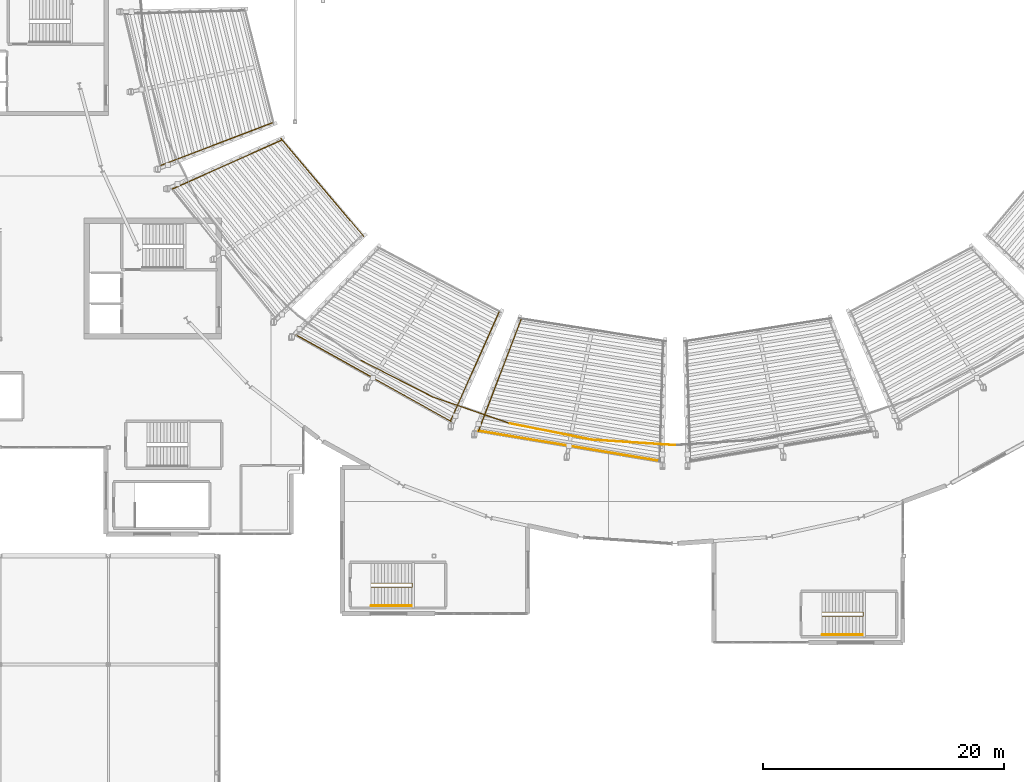
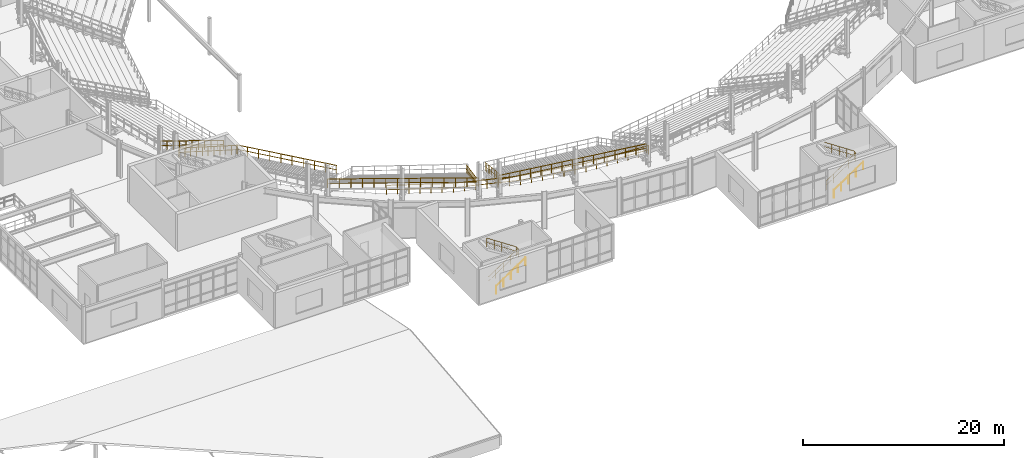
# One storey, part 72 of 81: 15 railings.
"""IFC4 building model written with IfcOpenShell, lengths in metres."""

from ifc_helpers import new_model, si_unit, direction, frame, origin, origin_2d, place, context, subcontext, project, spatial, circle, extrude, material, type_object, element, save


model = new_model("IFC4")

# Units and contexts
model_context = context("Model", 3, precision=1e-05, world=origin(), true_north=direction((0.0, 1.0)))
body_context = subcontext(model_context, "Body", "Model", "MODEL_VIEW")
ifc_project = project(units=[si_unit("LENGTHUNIT", "METRE"), si_unit("AREAUNIT", "SQUARE_METRE"), si_unit("VOLUMEUNIT", "CUBIC_METRE"), si_unit("PLANEANGLEUNIT", "RADIAN"), si_unit("MASSUNIT", "GRAM", prefix="KILO")], contexts=[model_context])

# Site, building, storey
site_placement = place(None, origin())
site = spatial("IfcSite", under=ifc_project, at=site_placement, CompositionType="ELEMENT")
building_placement = place(site_placement, origin())
building = spatial("IfcBuilding", under=site, at=building_placement, Name="Glasvene Arena", CompositionType="ELEMENT")
storey_placement = place(building_placement, frame((0.0, 0.0, 15.0)))
storey = spatial("IfcBuildingStorey", under=building, at=storey_placement, Name="L03", CompositionType="ELEMENT", Elevation=15.0)

# Railings
ifc_material = material(Name="Brushed stainless steel", Category="steel")
railing_type_1 = type_object("IfcRailingType", Name="RL-GUARD-1100", PredefinedType="GUARDRAIL", material=ifc_material)
railing_1_placement = place(storey_placement, frame((66.800048828125, 24.409912109375, 0.0)))
element("IfcRailing", 1, at=railing_1_placement, inside=storey, type_object=railing_type_1, Name="Stair inner well continuous guardrail ST-08-L03", PredefinedType="GUARDRAIL", context=body_context, shape_type="SweptSolid", body=[
    extrude(circle(Radius=0.02392578125, at=origin_2d()), frame((0.0, 0.0, 1.076171875), z_axis=(0.833924910587, 0.0, 0.551877924456), x_axis=(0.0, 1.0, 0.0)), (0.0, 0.0, 1.0), 4.076904296875),
    extrude(circle(Radius=0.01611328125, at=origin_2d()), frame((0.0, 0.0, 0.550048828125), z_axis=(0.833924910587, 0.0, 0.551877924456), x_axis=(0.0, 1.0, 0.0)), (0.0, 0.0, 1.0), 4.076904296875),
    extrude(circle(Radius=0.02392578125, at=origin_2d()), frame((3.39990234375, 0.0, 3.326171875), z_axis=(0.0, 1.0, 0.0), x_axis=(-1.0, 0.0, 0.0)), (0.0, 0.0, 1.0), 0.330078125),
    extrude(circle(Radius=0.01611328125, at=origin_2d()), frame((3.39990234375, 0.0, 2.800048828125), z_axis=(0.0, 1.0, 0.0), x_axis=(-1.0, 0.0, 0.0)), (0.0, 0.0, 1.0), 0.330078125),
    extrude(circle(Radius=0.02392578125, at=origin_2d()), frame((3.39990234375, 0.330078125, 3.326171875), z_axis=(-0.833924910587, 0.0, 0.551877924456), x_axis=(0.0, -1.0, 0.0)), (0.0, 0.0, 1.0), 4.076904296875),
    extrude(circle(Radius=0.01611328125, at=origin_2d()), frame((3.39990234375, 0.330078125, 2.800048828125), z_axis=(-0.833924910587, 0.0, 0.551877924456), x_axis=(0.0, -1.0, 0.0)), (0.0, 0.0, 1.0), 4.076904296875),
    extrude(circle(Radius=0.02099609375, at=origin_2d()), origin(), (0.0, 0.0, 1.0), 1.052001953125),
    extrude(circle(Radius=0.02099609375, at=origin_2d()), frame((0.85009765625, 0.0, 0.5625)), (0.0, 0.0, 1.0), 1.052001953125),
    extrude(circle(Radius=0.02099609375, at=origin_2d()), frame((1.699951171875, 0.0, 1.125)), (0.0, 0.0, 1.0), 1.052001953125),
    extrude(circle(Radius=0.02099609375, at=origin_2d()), frame((2.5498046875, 0.0, 1.6875)), (0.0, 0.0, 1.0), 1.052001953125),
    extrude(circle(Radius=0.02099609375, at=origin_2d()), frame((3.39990234375, 0.0, 2.25)), (0.0, 0.0, 1.0), 1.052001953125),
    extrude(circle(Radius=0.02099609375, at=origin_2d()), frame((3.39990234375, 0.330078125, 2.25)), (0.0, 0.0, 1.0), 1.052001953125),
    extrude(circle(Radius=0.02099609375, at=origin_2d()), frame((2.5498046875, 0.330078125, 2.8125)), (0.0, 0.0, 1.0), 1.052001953125),
    extrude(circle(Radius=0.02099609375, at=origin_2d()), frame((1.699951171875, 0.330078125, 3.375)), (0.0, 0.0, 1.0), 1.052001953125),
    extrude(circle(Radius=0.02099609375, at=origin_2d()), frame((0.85009765625, 0.330078125, 3.9375)), (0.0, 0.0, 1.0), 1.052001953125),
    extrude(circle(Radius=0.02099609375, at=origin_2d()), frame((0.0, 0.330078125, 4.5)), (0.0, 0.0, 1.0), 1.052001953125),
])
railing_2_placement = place(storey_placement, frame((104.199951171875, 22.010009765625, 0.0)))
element("IfcRailing", 2, at=railing_2_placement, inside=storey, type_object=railing_type_1, Name="Stair inner well continuous guardrail ST-09-L03", PredefinedType="GUARDRAIL", context=body_context, shape_type="SweptSolid", body=[
    extrude(circle(Radius=0.02392578125, at=origin_2d()), frame((0.0, 0.0, 1.076171875), z_axis=(0.833943147616, 0.0, 0.551850366082), x_axis=(0.0, 1.0, 0.0)), (0.0, 0.0, 1.0), 4.0771484375),
    extrude(circle(Radius=0.01611328125, at=origin_2d()), frame((0.0, 0.0, 0.550048828125), z_axis=(0.833943147616, 0.0, 0.551850366082), x_axis=(0.0, 1.0, 0.0)), (0.0, 0.0, 1.0), 4.0771484375),
    extrude(circle(Radius=0.02392578125, at=origin_2d()), frame((3.400146484375, 0.0, 3.326171875), z_axis=(0.0, 1.0, 0.0), x_axis=(-1.0, 0.0, 0.0)), (0.0, 0.0, 1.0), 0.330078125),
    extrude(circle(Radius=0.01611328125, at=origin_2d()), frame((3.400146484375, 0.0, 2.800048828125), z_axis=(0.0, 1.0, 0.0), x_axis=(-1.0, 0.0, 0.0)), (0.0, 0.0, 1.0), 0.330078125),
    extrude(circle(Radius=0.02392578125, at=origin_2d()), frame((3.400146484375, 0.330078125, 3.326171875), z_axis=(-0.833943147616, 0.0, 0.551850366082), x_axis=(0.0, -1.0, 0.0)), (0.0, 0.0, 1.0), 4.0771484375),
    extrude(circle(Radius=0.01611328125, at=origin_2d()), frame((3.400146484375, 0.330078125, 2.800048828125), z_axis=(-0.833943147616, 0.0, 0.551850366082), x_axis=(0.0, -1.0, 0.0)), (0.0, 0.0, 1.0), 4.0771484375),
    extrude(circle(Radius=0.02099609375, at=origin_2d()), origin(), (0.0, 0.0, 1.0), 1.052001953125),
    extrude(circle(Radius=0.02099609375, at=origin_2d()), frame((0.85009765625, 0.0, 0.5625)), (0.0, 0.0, 1.0), 1.052001953125),
    extrude(circle(Radius=0.02099609375, at=origin_2d()), frame((1.7001953125, 0.0, 1.125)), (0.0, 0.0, 1.0), 1.052001953125),
    extrude(circle(Radius=0.02099609375, at=origin_2d()), frame((2.550048828125, 0.0, 1.6875)), (0.0, 0.0, 1.0), 1.052001953125),
    extrude(circle(Radius=0.02099609375, at=origin_2d()), frame((3.400146484375, 0.0, 2.25)), (0.0, 0.0, 1.0), 1.052001953125),
    extrude(circle(Radius=0.02099609375, at=origin_2d()), frame((3.400146484375, 0.330078125, 2.25)), (0.0, 0.0, 1.0), 1.052001953125),
    extrude(circle(Radius=0.02099609375, at=origin_2d()), frame((2.550048828125, 0.330078125, 2.8125)), (0.0, 0.0, 1.0), 1.052001953125),
    extrude(circle(Radius=0.02099609375, at=origin_2d()), frame((1.7001953125, 0.330078125, 3.375)), (0.0, 0.0, 1.0), 1.052001953125),
    extrude(circle(Radius=0.02099609375, at=origin_2d()), frame((0.85009765625, 0.330078125, 3.9375)), (0.0, 0.0, 1.0), 1.052001953125),
    extrude(circle(Radius=0.02099609375, at=origin_2d()), frame((0.0, 0.330078125, 4.5)), (0.0, 0.0, 1.0), 1.052001953125),
])
railing_3_placement = place(storey_placement, frame((65.949462890625, 43.2119140625, 0.0)))
element("IfcRailing", 3, at=railing_3_placement, inside=storey, type_object=railing_type_1, Name="Safety guardrail GD-BWL-L03-027", PredefinedType="GUARDRAIL", context=body_context, shape_type="SweptSolid", body=[
    extrude(circle(Radius=0.02392578125, at=origin_2d()), frame((0.0, 0.0, 1.076171875), z_axis=(0.891160148677, -0.453688868511, 0.0), x_axis=(0.453688868511, 0.891160148677, 0.0)), (0.0, 0.0, 1.0), 6.65380859375),
    extrude(circle(Radius=0.01611328125, at=origin_2d()), frame((0.0, 0.0, 0.550048828125), z_axis=(0.891160148677, -0.453688868511, 0.0), x_axis=(0.453688868511, 0.891160148677, 0.0)), (0.0, 0.0, 1.0), 6.65380859375),
    extrude(circle(Radius=0.02099609375, at=origin_2d()), origin(), (0.0, 0.0, 1.0), 1.052001953125),
    extrude(circle(Radius=0.02099609375, at=origin_2d()), frame((0.98828125, -0.503173828125, 0.0)), (0.0, 0.0, 1.0), 1.052001953125),
    extrude(circle(Radius=0.02099609375, at=origin_2d()), frame((1.9765625, -1.00634765625, 0.0)), (0.0, 0.0, 1.0), 1.052001953125),
    extrude(circle(Radius=0.02099609375, at=origin_2d()), frame((2.96484375, -1.50927734375, 0.0)), (0.0, 0.0, 1.0), 1.052001953125),
    extrude(circle(Radius=0.02099609375, at=origin_2d()), frame((3.953125, -2.012451171875, 0.0)), (0.0, 0.0, 1.0), 1.052001953125),
    extrude(circle(Radius=0.02099609375, at=origin_2d()), frame((4.94140625, -2.515625, 0.0)), (0.0, 0.0, 1.0), 1.052001953125),
    extrude(circle(Radius=0.02099609375, at=origin_2d()), frame((5.9296875, -3.018798828125, 0.0)), (0.0, 0.0, 1.0), 1.052001953125),
])
railing_4_placement = place(storey_placement, frame((71.879150390625, 40.193115234375, 0.0)))
element("IfcRailing", 4, at=railing_4_placement, inside=storey, type_object=railing_type_1, Name="Safety guardrail GD-BWL-L03-028", PredefinedType="GUARDRAIL", context=body_context, shape_type="SweptSolid", body=[
    extrude(circle(Radius=0.02392578125, at=origin_2d()), frame((0.0, 0.0, 1.076171875), z_axis=(0.945585072806, -0.325374968437, 0.0), x_axis=(0.325374968437, 0.945585072806, 0.0)), (0.0, 0.0, 1.0), 6.795166015625),
    extrude(circle(Radius=0.01611328125, at=origin_2d()), frame((0.0, 0.0, 0.550048828125), z_axis=(0.945585072806, -0.325374968437, 0.0), x_axis=(0.325374968437, 0.945585072806, 0.0)), (0.0, 0.0, 1.0), 6.795166015625),
    extrude(circle(Radius=0.02099609375, at=origin_2d()), origin(), (0.0, 0.0, 1.0), 1.052001953125),
    extrude(circle(Radius=0.02099609375, at=origin_2d()), frame((1.07080078125, -0.368408203125, 0.0)), (0.0, 0.0, 1.0), 1.052001953125),
    extrude(circle(Radius=0.02099609375, at=origin_2d()), frame((2.141845703125, -0.737060546875, 0.0)), (0.0, 0.0, 1.0), 1.052001953125),
    extrude(circle(Radius=0.02099609375, at=origin_2d()), frame((3.212646484375, -1.10546875, 0.0)), (0.0, 0.0, 1.0), 1.052001953125),
    extrude(circle(Radius=0.02099609375, at=origin_2d()), frame((4.283447265625, -1.473876953125, 0.0)), (0.0, 0.0, 1.0), 1.052001953125),
    extrude(circle(Radius=0.02099609375, at=origin_2d()), frame((5.3544921875, -1.842529296875, 0.0)), (0.0, 0.0, 1.0), 1.052001953125),
    extrude(circle(Radius=0.02099609375, at=origin_2d()), frame((6.42529296875, -2.2109375, 0.0)), (0.0, 0.0, 1.0), 1.052001953125),
])
railing_5_placement = place(storey_placement, frame((78.304443359375, 37.982177734375, 0.0)))
element("IfcRailing", 5, at=railing_5_placement, inside=storey, type_object=railing_type_1, Name="Safety guardrail GD-BWL-L03-029", PredefinedType="GUARDRAIL", context=body_context, shape_type="SweptSolid", body=[
    extrude(circle(Radius=0.02392578125, at=origin_2d()), frame((0.0, 0.0, 1.076171875), z_axis=(0.980681314144, -0.19561226978, 0.0), x_axis=(0.19561226978, 0.980681314144, 0.0)), (0.0, 0.0, 1.0), 6.895751953125),
    extrude(circle(Radius=0.01611328125, at=origin_2d()), frame((0.0, 0.0, 0.550048828125), z_axis=(0.980681314144, -0.19561226978, 0.0), x_axis=(0.19561226978, 0.980681314144, 0.0)), (0.0, 0.0, 1.0), 6.895751953125),
    extrude(circle(Radius=0.02099609375, at=origin_2d()), origin(), (0.0, 0.0, 1.0), 1.052001953125),
    extrude(circle(Radius=0.02099609375, at=origin_2d()), frame((1.126953125, -0.224853515625, 0.0)), (0.0, 0.0, 1.0), 1.052001953125),
    extrude(circle(Radius=0.02099609375, at=origin_2d()), frame((2.254150390625, -0.44970703125, 0.0)), (0.0, 0.0, 1.0), 1.052001953125),
    extrude(circle(Radius=0.02099609375, at=origin_2d()), frame((3.38134765625, -0.67431640625, 0.0)), (0.0, 0.0, 1.0), 1.052001953125),
    extrude(circle(Radius=0.02099609375, at=origin_2d()), frame((4.50830078125, -0.899169921875, 0.0)), (0.0, 0.0, 1.0), 1.052001953125),
    extrude(circle(Radius=0.02099609375, at=origin_2d()), frame((5.63525390625, -1.1240234375, 0.0)), (0.0, 0.0, 1.0), 1.052001953125),
    extrude(circle(Radius=0.02099609375, at=origin_2d()), frame((6.762451171875, -1.348876953125, 0.0)), (0.0, 0.0, 1.0), 1.052001953125),
])
railing_6_placement = place(storey_placement, frame((85.06689453125, 36.63330078125, 0.0)))
element("IfcRailing", 6, at=railing_6_placement, inside=storey, type_object=railing_type_1, Name="Safety guardrail GD-BWL-L03-030", PredefinedType="GUARDRAIL", context=body_context, shape_type="SweptSolid", body=[
    extrude(circle(Radius=0.02392578125, at=origin_2d()), frame((0.0, 0.0, 1.076171875), z_axis=(0.997868780368, -0.065252564446, 0.0), x_axis=(0.065252564446, 0.997868780368, 0.0)), (0.0, 0.0, 1.0), 6.947998046875),
    extrude(circle(Radius=0.01611328125, at=origin_2d()), frame((0.0, 0.0, 0.550048828125), z_axis=(0.997868780368, -0.065252564446, 0.0), x_axis=(0.065252564446, 0.997868780368, 0.0)), (0.0, 0.0, 1.0), 6.947998046875),
    extrude(circle(Radius=0.02099609375, at=origin_2d()), origin(), (0.0, 0.0, 1.0), 1.052001953125),
    extrude(circle(Radius=0.02099609375, at=origin_2d()), frame((1.155517578125, -0.07568359375, 0.0)), (0.0, 0.0, 1.0), 1.052001953125),
    extrude(circle(Radius=0.02099609375, at=origin_2d()), frame((2.31103515625, -0.151123046875, 0.0)), (0.0, 0.0, 1.0), 1.052001953125),
    extrude(circle(Radius=0.02099609375, at=origin_2d()), frame((3.466552734375, -0.2265625, 0.0)), (0.0, 0.0, 1.0), 1.052001953125),
    extrude(circle(Radius=0.02099609375, at=origin_2d()), frame((4.6220703125, -0.30224609375, 0.0)), (0.0, 0.0, 1.0), 1.052001953125),
    extrude(circle(Radius=0.02099609375, at=origin_2d()), frame((5.777587890625, -0.3779296875, 0.0)), (0.0, 0.0, 1.0), 1.052001953125),
    extrude(circle(Radius=0.02099609375, at=origin_2d()), frame((6.93310546875, -0.453369140625, 0.0)), (0.0, 0.0, 1.0), 1.052001953125),
])
railing_7_placement = place(storey_placement, frame((58.605224609375, 62.916015625, -3.89990234375)))
element("IfcRailing", 7, at=railing_7_placement, inside=storey, type_object=railing_type_1, Name="Upper tier radial aisle guard 09-2", PredefinedType="GUARDRAIL", context=body_context, shape_type="SweptSolid", body=[
    extrude(circle(Radius=0.02392578125, at=origin_2d()), frame((0.0, 0.0, 1.076171875), z_axis=(-0.824230449904, -0.314969660296, 0.470572288329), x_axis=(0.3569621743, -0.934118839399, 0.0)), (0.0, 0.0, 1.0), 11.219970703125),
    extrude(circle(Radius=0.01611328125, at=origin_2d()), frame((0.0, 0.0, 0.550048828125), z_axis=(-0.824230449904, -0.314969660296, 0.470572288329), x_axis=(0.3569621743, -0.934118839399, 0.0)), (0.0, 0.0, 1.0), 11.219970703125),
    extrude(circle(Radius=0.02099609375, at=origin_2d()), origin(), (0.0, 0.0, 1.0), 1.052001953125),
    extrude(circle(Radius=0.02099609375, at=origin_2d()), frame((-0.9248046875, -0.353515625, 0.528076171875)), (0.0, 0.0, 1.0), 1.052001953125),
    extrude(circle(Radius=0.02099609375, at=origin_2d()), frame((-1.849609375, -0.706787109375, 1.055908203125)), (0.0, 0.0, 1.0), 1.052001953125),
    extrude(circle(Radius=0.02099609375, at=origin_2d()), frame((-2.7744140625, -1.06005859375, 1.583984375)), (0.0, 0.0, 1.0), 1.052001953125),
    extrude(circle(Radius=0.02099609375, at=origin_2d()), frame((-3.69921875, -1.41357421875, 2.11181640625)), (0.0, 0.0, 1.0), 1.052001953125),
    extrude(circle(Radius=0.02099609375, at=origin_2d()), frame((-4.6240234375, -1.76708984375, 2.639892578125)), (0.0, 0.0, 1.0), 1.052001953125),
    extrude(circle(Radius=0.02099609375, at=origin_2d()), frame((-5.548583984375, -2.120361328125, 3.16796875)), (0.0, 0.0, 1.0), 1.052001953125),
    extrude(circle(Radius=0.02099609375, at=origin_2d()), frame((-6.473388671875, -2.4736328125, 3.69580078125)), (0.0, 0.0, 1.0), 1.052001953125),
    extrude(circle(Radius=0.02099609375, at=origin_2d()), frame((-7.398193359375, -2.8271484375, 4.223876953125)), (0.0, 0.0, 1.0), 1.052001953125),
    extrude(circle(Radius=0.02099609375, at=origin_2d()), frame((-8.322998046875, -3.1806640625, 4.751708984375)), (0.0, 0.0, 1.0), 1.052001953125),
    extrude(circle(Radius=0.02099609375, at=origin_2d()), frame((-9.247802734375, -3.533935546875, 5.27978515625)), (0.0, 0.0, 1.0), 1.052001953125),
])
railing_8_placement = place(storey_placement, frame((59.317626953125, 61.612060546875, -3.89990234375)))
element("IfcRailing", 8, at=railing_8_placement, inside=storey, type_object=railing_type_1, Name="Safety guardrail GD-TU-UF-10-001", PredefinedType="GUARDRAIL", context=body_context, shape_type="SweptSolid", body=[
    extrude(circle(Radius=0.02392578125, at=origin_2d()), frame((0.0, 0.0, 1.076171875), z_axis=(0.645763939383, -0.763537120638, 0.0), x_axis=(0.763537120638, 0.645763939383, 0.0)), (0.0, 0.0, 1.0), 10.619873046875),
    extrude(circle(Radius=0.01611328125, at=origin_2d()), frame((0.0, 0.0, 0.550048828125), z_axis=(0.645763939383, -0.763537120638, 0.0), x_axis=(0.763537120638, 0.645763939383, 0.0)), (0.0, 0.0, 1.0), 10.619873046875),
    extrude(circle(Radius=0.02099609375, at=origin_2d()), origin(), (0.0, 0.0, 1.0), 1.052001953125),
    extrude(circle(Radius=0.02099609375, at=origin_2d()), frame((0.761962890625, -0.90087890625, 0.0)), (0.0, 0.0, 1.0), 1.052001953125),
    extrude(circle(Radius=0.02099609375, at=origin_2d()), frame((1.52392578125, -1.802001953125, 0.0)), (0.0, 0.0, 1.0), 1.052001953125),
    extrude(circle(Radius=0.02099609375, at=origin_2d()), frame((2.285888671875, -2.702880859375, 0.0)), (0.0, 0.0, 1.0), 1.052001953125),
    extrude(circle(Radius=0.02099609375, at=origin_2d()), frame((3.0478515625, -3.603759765625, 0.0)), (0.0, 0.0, 1.0), 1.052001953125),
    extrude(circle(Radius=0.02099609375, at=origin_2d()), frame((3.81005859375, -4.5048828125, 0.0)), (0.0, 0.0, 1.0), 1.052001953125),
    extrude(circle(Radius=0.02099609375, at=origin_2d()), frame((4.572021484375, -5.40576171875, 0.0)), (0.0, 0.0, 1.0), 1.052001953125),
    extrude(circle(Radius=0.02099609375, at=origin_2d()), frame((5.333984375, -6.306640625, 0.0)), (0.0, 0.0, 1.0), 1.052001953125),
    extrude(circle(Radius=0.02099609375, at=origin_2d()), frame((6.095947265625, -7.207763671875, 0.0)), (0.0, 0.0, 1.0), 1.052001953125),
    extrude(circle(Radius=0.02099609375, at=origin_2d()), frame((6.85791015625, -8.108642578125, 0.0)), (0.0, 0.0, 1.0), 1.052001953125),
])
railing_9_placement = place(storey_placement, frame((59.36279296875, 61.470703125, -3.89990234375)))
element("IfcRailing", 9, at=railing_9_placement, inside=storey, type_object=railing_type_1, Name="Upper tier radial aisle guard 10-1", PredefinedType="GUARDRAIL", context=body_context, shape_type="SweptSolid", body=[
    extrude(circle(Radius=0.02392578125, at=origin_2d()), frame((0.0, 0.0, 1.076171875), z_axis=(-0.805537930588, -0.360098520078, 0.470571671715), x_axis=(0.408107570305, -0.912933848129, 0.0)), (0.0, 0.0, 1.0), 11.219970703125),
    extrude(circle(Radius=0.01611328125, at=origin_2d()), frame((0.0, 0.0, 0.550048828125), z_axis=(-0.805537930588, -0.360098520078, 0.470571671715), x_axis=(0.408107570305, -0.912933848129, 0.0)), (0.0, 0.0, 1.0), 11.219970703125),
    extrude(circle(Radius=0.02099609375, at=origin_2d()), origin(), (0.0, 0.0, 1.0), 1.052001953125),
    extrude(circle(Radius=0.02099609375, at=origin_2d()), frame((-0.90380859375, -0.404052734375, 0.528076171875)), (0.0, 0.0, 1.0), 1.052001953125),
    extrude(circle(Radius=0.02099609375, at=origin_2d()), frame((-1.8076171875, -0.80810546875, 1.055908203125)), (0.0, 0.0, 1.0), 1.052001953125),
    extrude(circle(Radius=0.02099609375, at=origin_2d()), frame((-2.71142578125, -1.212158203125, 1.583984375)), (0.0, 0.0, 1.0), 1.052001953125),
    extrude(circle(Radius=0.02099609375, at=origin_2d()), frame((-3.615234375, -1.6162109375, 2.11181640625)), (0.0, 0.0, 1.0), 1.052001953125),
    extrude(circle(Radius=0.02099609375, at=origin_2d()), frame((-4.51904296875, -2.02001953125, 2.639892578125)), (0.0, 0.0, 1.0), 1.052001953125),
    extrude(circle(Radius=0.02099609375, at=origin_2d()), frame((-5.4228515625, -2.424072265625, 3.16796875)), (0.0, 0.0, 1.0), 1.052001953125),
    extrude(circle(Radius=0.02099609375, at=origin_2d()), frame((-6.32666015625, -2.828125, 3.69580078125)), (0.0, 0.0, 1.0), 1.052001953125),
    extrude(circle(Radius=0.02099609375, at=origin_2d()), frame((-7.23046875, -3.232177734375, 4.223876953125)), (0.0, 0.0, 1.0), 1.052001953125),
    extrude(circle(Radius=0.02099609375, at=origin_2d()), frame((-8.13427734375, -3.63623046875, 4.751708984375)), (0.0, 0.0, 1.0), 1.052001953125),
    extrude(circle(Radius=0.02099609375, at=origin_2d()), frame((-9.0380859375, -4.040283203125, 5.27978515625)), (0.0, 0.0, 1.0), 1.052001953125),
])
railing_10_placement = place(storey_placement, frame((60.4404296875, 45.397216796875, 1.3798828125)))
element("IfcRailing", 10, at=railing_10_placement, inside=storey, type_object=railing_type_1, Name="Safety guardrail GD-TU-UR-11-001", PredefinedType="GUARDRAIL", context=body_context, shape_type="SweptSolid", body=[
    extrude(circle(Radius=0.02392578125, at=origin_2d()), frame((0.0, 0.0, 1.076171875), z_axis=(0.873075045676, -0.487585853587, 0.0), x_axis=(0.487585853587, 0.873075045676, 0.0)), (0.0, 0.0, 1.0), 15.033935546875),
    extrude(circle(Radius=0.01611328125, at=origin_2d()), frame((0.0, 0.0, 0.550048828125), z_axis=(0.873075045676, -0.487585853587, 0.0), x_axis=(0.487585853587, 0.873075045676, 0.0)), (0.0, 0.0, 1.0), 15.033935546875),
    extrude(circle(Radius=0.02099609375, at=origin_2d()), origin(), (0.0, 0.0, 1.0), 1.052001953125),
    extrude(circle(Radius=0.02099609375, at=origin_2d()), frame((1.009765625, -0.56396484375, 0.0)), (0.0, 0.0, 1.0), 1.052001953125),
    extrude(circle(Radius=0.02099609375, at=origin_2d()), frame((2.019287109375, -1.127685546875, 0.0)), (0.0, 0.0, 1.0), 1.052001953125),
    extrude(circle(Radius=0.02099609375, at=origin_2d()), frame((3.029052734375, -1.691650390625, 0.0)), (0.0, 0.0, 1.0), 1.052001953125),
    extrude(circle(Radius=0.02099609375, at=origin_2d()), frame((4.03857421875, -2.25537109375, 0.0)), (0.0, 0.0, 1.0), 1.052001953125),
    extrude(circle(Radius=0.02099609375, at=origin_2d()), frame((5.04833984375, -2.8193359375, 0.0)), (0.0, 0.0, 1.0), 1.052001953125),
    extrude(circle(Radius=0.02099609375, at=origin_2d()), frame((6.05810546875, -3.38330078125, 0.0)), (0.0, 0.0, 1.0), 1.052001953125),
    extrude(circle(Radius=0.02099609375, at=origin_2d()), frame((7.067626953125, -3.947021484375, 0.0)), (0.0, 0.0, 1.0), 1.052001953125),
    extrude(circle(Radius=0.02099609375, at=origin_2d()), frame((8.077392578125, -4.510986328125, 0.0)), (0.0, 0.0, 1.0), 1.052001953125),
    extrude(circle(Radius=0.02099609375, at=origin_2d()), frame((9.087158203125, -5.074951171875, 0.0)), (0.0, 0.0, 1.0), 1.052001953125),
    extrude(circle(Radius=0.02099609375, at=origin_2d()), frame((10.0966796875, -5.638671875, 0.0)), (0.0, 0.0, 1.0), 1.052001953125),
    extrude(circle(Radius=0.02099609375, at=origin_2d()), frame((11.1064453125, -6.20263671875, 0.0)), (0.0, 0.0, 1.0), 1.052001953125),
    extrude(circle(Radius=0.02099609375, at=origin_2d()), frame((12.115966796875, -6.766357421875, 0.0)), (0.0, 0.0, 1.0), 1.052001953125),
    extrude(circle(Radius=0.02099609375, at=origin_2d()), frame((13.125732421875, -7.330322265625, 0.0)), (0.0, 0.0, 1.0), 1.052001953125),
])
railing_11_placement = place(storey_placement, frame((77.409912109375, 47.209716796875, -3.89990234375)))
element("IfcRailing", 11, at=railing_11_placement, inside=storey, type_object=railing_type_1, Name="Upper tier radial aisle guard 11-2", PredefinedType="GUARDRAIL", context=body_context, shape_type="SweptSolid", body=[
    extrude(circle(Radius=0.02392578125, at=origin_2d()), frame((0.0, 0.0, 1.076171875), z_axis=(-0.36011745781, -0.805531618618, 0.470567984447), x_axis=(0.912924660078, -0.408128123292, 0.0)), (0.0, 0.0, 1.0), 11.219970703125),
    extrude(circle(Radius=0.01611328125, at=origin_2d()), frame((0.0, 0.0, 0.550048828125), z_axis=(-0.36011745781, -0.805531618618, 0.470567984447), x_axis=(0.912924660078, -0.408128123292, 0.0)), (0.0, 0.0, 1.0), 11.219970703125),
    extrude(circle(Radius=0.02099609375, at=origin_2d()), origin(), (0.0, 0.0, 1.0), 1.052001953125),
    extrude(circle(Radius=0.02099609375, at=origin_2d()), frame((-0.404052734375, -0.90380859375, 0.528076171875)), (0.0, 0.0, 1.0), 1.052001953125),
    extrude(circle(Radius=0.02099609375, at=origin_2d()), frame((-0.80810546875, -1.8076171875, 1.055908203125)), (0.0, 0.0, 1.0), 1.052001953125),
    extrude(circle(Radius=0.02099609375, at=origin_2d()), frame((-1.212158203125, -2.71142578125, 1.583984375)), (0.0, 0.0, 1.0), 1.052001953125),
    extrude(circle(Radius=0.02099609375, at=origin_2d()), frame((-1.6162109375, -3.615234375, 2.11181640625)), (0.0, 0.0, 1.0), 1.052001953125),
    extrude(circle(Radius=0.02099609375, at=origin_2d()), frame((-2.020263671875, -4.51904296875, 2.639892578125)), (0.0, 0.0, 1.0), 1.052001953125),
    extrude(circle(Radius=0.02099609375, at=origin_2d()), frame((-2.42431640625, -5.4228515625, 3.16796875)), (0.0, 0.0, 1.0), 1.052001953125),
    extrude(circle(Radius=0.02099609375, at=origin_2d()), frame((-2.828369140625, -6.32666015625, 3.69580078125)), (0.0, 0.0, 1.0), 1.052001953125),
    extrude(circle(Radius=0.02099609375, at=origin_2d()), frame((-3.232421875, -7.23046875, 4.223876953125)), (0.0, 0.0, 1.0), 1.052001953125),
    extrude(circle(Radius=0.02099609375, at=origin_2d()), frame((-3.636474609375, -8.13427734375, 4.751708984375)), (0.0, 0.0, 1.0), 1.052001953125),
    extrude(circle(Radius=0.02099609375, at=origin_2d()), frame((-4.04052734375, -9.0380859375, 5.27978515625)), (0.0, 0.0, 1.0), 1.052001953125),
])
railing_12_placement = place(storey_placement, frame((75.48095703125, 37.40380859375, 1.3798828125)))
element("IfcRailing", 12, at=railing_12_placement, inside=storey, type_object=railing_type_1, Name="Safety guardrail GD-TU-UR-12-001", PredefinedType="GUARDRAIL", context=body_context, shape_type="SweptSolid", body=[
    extrude(circle(Radius=0.02392578125, at=origin_2d()), frame((0.0, 0.0, 1.076171875), z_axis=(0.98646068738, -0.163997903197, 0.0), x_axis=(0.163997903197, 0.98646068738, 0.0)), (0.0, 0.0, 1.0), 15.695068359375),
    extrude(circle(Radius=0.01611328125, at=origin_2d()), frame((0.0, 0.0, 0.550048828125), z_axis=(0.98646068738, -0.163997903197, 0.0), x_axis=(0.163997903197, 0.98646068738, 0.0)), (0.0, 0.0, 1.0), 15.695068359375),
    extrude(circle(Radius=0.02099609375, at=origin_2d()), origin(), (0.0, 0.0, 1.0), 1.052001953125),
    extrude(circle(Radius=0.02099609375, at=origin_2d()), frame((1.10595703125, -0.183837890625, 0.0)), (0.0, 0.0, 1.0), 1.052001953125),
    extrude(circle(Radius=0.02099609375, at=origin_2d()), frame((2.2119140625, -0.36767578125, 0.0)), (0.0, 0.0, 1.0), 1.052001953125),
    extrude(circle(Radius=0.02099609375, at=origin_2d()), frame((3.317626953125, -0.551513671875, 0.0)), (0.0, 0.0, 1.0), 1.052001953125),
    extrude(circle(Radius=0.02099609375, at=origin_2d()), frame((4.423583984375, -0.7353515625, 0.0)), (0.0, 0.0, 1.0), 1.052001953125),
    extrude(circle(Radius=0.02099609375, at=origin_2d()), frame((5.529541015625, -0.919189453125, 0.0)), (0.0, 0.0, 1.0), 1.052001953125),
    extrude(circle(Radius=0.02099609375, at=origin_2d()), frame((6.635498046875, -1.10302734375, 0.0)), (0.0, 0.0, 1.0), 1.052001953125),
    extrude(circle(Radius=0.02099609375, at=origin_2d()), frame((7.7412109375, -1.287109375, 0.0)), (0.0, 0.0, 1.0), 1.052001953125),
    extrude(circle(Radius=0.02099609375, at=origin_2d()), frame((8.84716796875, -1.470947265625, 0.0)), (0.0, 0.0, 1.0), 1.052001953125),
    extrude(circle(Radius=0.02099609375, at=origin_2d()), frame((9.953125, -1.65478515625, 0.0)), (0.0, 0.0, 1.0), 1.052001953125),
    extrude(circle(Radius=0.02099609375, at=origin_2d()), frame((11.05908203125, -1.838623046875, 0.0)), (0.0, 0.0, 1.0), 1.052001953125),
    extrude(circle(Radius=0.02099609375, at=origin_2d()), frame((12.1650390625, -2.0224609375, 0.0)), (0.0, 0.0, 1.0), 1.052001953125),
    extrude(circle(Radius=0.02099609375, at=origin_2d()), frame((13.270751953125, -2.206298828125, 0.0)), (0.0, 0.0, 1.0), 1.052001953125),
    extrude(circle(Radius=0.02099609375, at=origin_2d()), frame((14.376708984375, -2.39013671875, 0.0)), (0.0, 0.0, 1.0), 1.052001953125),
    extrude(circle(Radius=0.02099609375, at=origin_2d()), frame((15.482666015625, -2.573974609375, 0.0)), (0.0, 0.0, 1.0), 1.052001953125),
])
railing_13_placement = place(storey_placement, frame((79.23876953125, 46.611083984375, -3.89990234375)))
element("IfcRailing", 13, at=railing_13_placement, inside=storey, type_object=railing_type_1, Name="Upper tier radial aisle guard 12-1", PredefinedType="GUARDRAIL", context=body_context, shape_type="SweptSolid", body=[
    extrude(circle(Radius=0.02392578125, at=origin_2d()), frame((0.0, 0.0, 1.076171875), z_axis=(-0.314969660296, -0.824230449904, 0.470572288329), x_axis=(0.934118839399, -0.3569621743, 0.0)), (0.0, 0.0, 1.0), 11.219970703125),
    extrude(circle(Radius=0.01611328125, at=origin_2d()), frame((0.0, 0.0, 0.550048828125), z_axis=(-0.314969660296, -0.824230449904, 0.470572288329), x_axis=(0.934118839399, -0.3569621743, 0.0)), (0.0, 0.0, 1.0), 11.219970703125),
    extrude(circle(Radius=0.02099609375, at=origin_2d()), origin(), (0.0, 0.0, 1.0), 1.052001953125),
    extrude(circle(Radius=0.02099609375, at=origin_2d()), frame((-0.353515625, -0.9248046875, 0.528076171875)), (0.0, 0.0, 1.0), 1.052001953125),
    extrude(circle(Radius=0.02099609375, at=origin_2d()), frame((-0.706787109375, -1.849609375, 1.055908203125)), (0.0, 0.0, 1.0), 1.052001953125),
    extrude(circle(Radius=0.02099609375, at=origin_2d()), frame((-1.06005859375, -2.7744140625, 1.583984375)), (0.0, 0.0, 1.0), 1.052001953125),
    extrude(circle(Radius=0.02099609375, at=origin_2d()), frame((-1.41357421875, -3.69921875, 2.11181640625)), (0.0, 0.0, 1.0), 1.052001953125),
    extrude(circle(Radius=0.02099609375, at=origin_2d()), frame((-1.76708984375, -4.6240234375, 2.639892578125)), (0.0, 0.0, 1.0), 1.052001953125),
    extrude(circle(Radius=0.02099609375, at=origin_2d()), frame((-2.120361328125, -5.548583984375, 3.16796875)), (0.0, 0.0, 1.0), 1.052001953125),
    extrude(circle(Radius=0.02099609375, at=origin_2d()), frame((-2.4736328125, -6.473388671875, 3.69580078125)), (0.0, 0.0, 1.0), 1.052001953125),
    extrude(circle(Radius=0.02099609375, at=origin_2d()), frame((-2.8271484375, -7.398193359375, 4.223876953125)), (0.0, 0.0, 1.0), 1.052001953125),
    extrude(circle(Radius=0.02099609375, at=origin_2d()), frame((-3.1806640625, -8.322998046875, 4.751708984375)), (0.0, 0.0, 1.0), 1.052001953125),
    extrude(circle(Radius=0.02099609375, at=origin_2d()), frame((-3.533935546875, -9.247802734375, 5.27978515625)), (0.0, 0.0, 1.0), 1.052001953125),
])
railing_type_2 = type_object("IfcRailingType", Name="RL-HAND-950", PredefinedType="HANDRAIL", material=ifc_material)
railing_14_placement = place(storey_placement, frame((66.800048828125, 22.860107421875, 0.0)))
element("IfcRailing", 14, at=railing_14_placement, inside=storey, type_object=railing_type_2, Name="Stair wall handrail ST-08-L03", PredefinedType="HANDRAIL", context=body_context, shape_type="SweptSolid", body=[
    extrude(circle(Radius=0.02392578125, at=origin_2d()), frame((0.0, 0.0, 0.92578125), z_axis=(0.830896709279, 0.0, 0.556426687452), x_axis=(0.0, 1.0, 0.0)), (0.0, 0.0, 1.0), 4.043701171875),
    extrude(circle(Radius=0.02099609375, at=origin_2d()), origin(), (0.0, 0.0, 1.0), 0.90185546875),
    extrude(circle(Radius=0.02099609375, at=origin_2d()), frame((0.83984375, 0.0, 0.5625)), (0.0, 0.0, 1.0), 0.90185546875),
    extrude(circle(Radius=0.02099609375, at=origin_2d()), frame((1.679931640625, 0.0, 1.125)), (0.0, 0.0, 1.0), 0.90185546875),
    extrude(circle(Radius=0.02099609375, at=origin_2d()), frame((2.52001953125, 0.0, 1.6875)), (0.0, 0.0, 1.0), 0.90185546875),
    extrude(circle(Radius=0.02099609375, at=origin_2d()), frame((3.35986328125, 0.0, 2.25)), (0.0, 0.0, 1.0), 0.90185546875),
])
railing_15_placement = place(storey_placement, frame((104.199951171875, 20.4599609375, 0.0)))
element("IfcRailing", 15, at=railing_15_placement, inside=storey, type_object=railing_type_2, Name="Stair wall handrail ST-09-L03", PredefinedType="HANDRAIL", context=body_context, shape_type="SweptSolid", body=[
    extrude(circle(Radius=0.02392578125, at=origin_2d()), frame((0.0, 0.0, 0.92578125), z_axis=(0.830915400975, 0.0, 0.556398774641), x_axis=(0.0, 1.0, 0.0)), (0.0, 0.0, 1.0), 4.0439453125),
    extrude(circle(Radius=0.02099609375, at=origin_2d()), origin(), (0.0, 0.0, 1.0), 0.90185546875),
    extrude(circle(Radius=0.02099609375, at=origin_2d()), frame((0.840087890625, 0.0, 0.5625)), (0.0, 0.0, 1.0), 0.90185546875),
    extrude(circle(Radius=0.02099609375, at=origin_2d()), frame((1.68017578125, 0.0, 1.125)), (0.0, 0.0, 1.0), 0.90185546875),
    extrude(circle(Radius=0.02099609375, at=origin_2d()), frame((2.52001953125, 0.0, 1.6875)), (0.0, 0.0, 1.0), 0.90185546875),
    extrude(circle(Radius=0.02099609375, at=origin_2d()), frame((3.360107421875, 0.0, 2.25)), (0.0, 0.0, 1.0), 0.90185546875),
])

save(model, "model.ifc")
